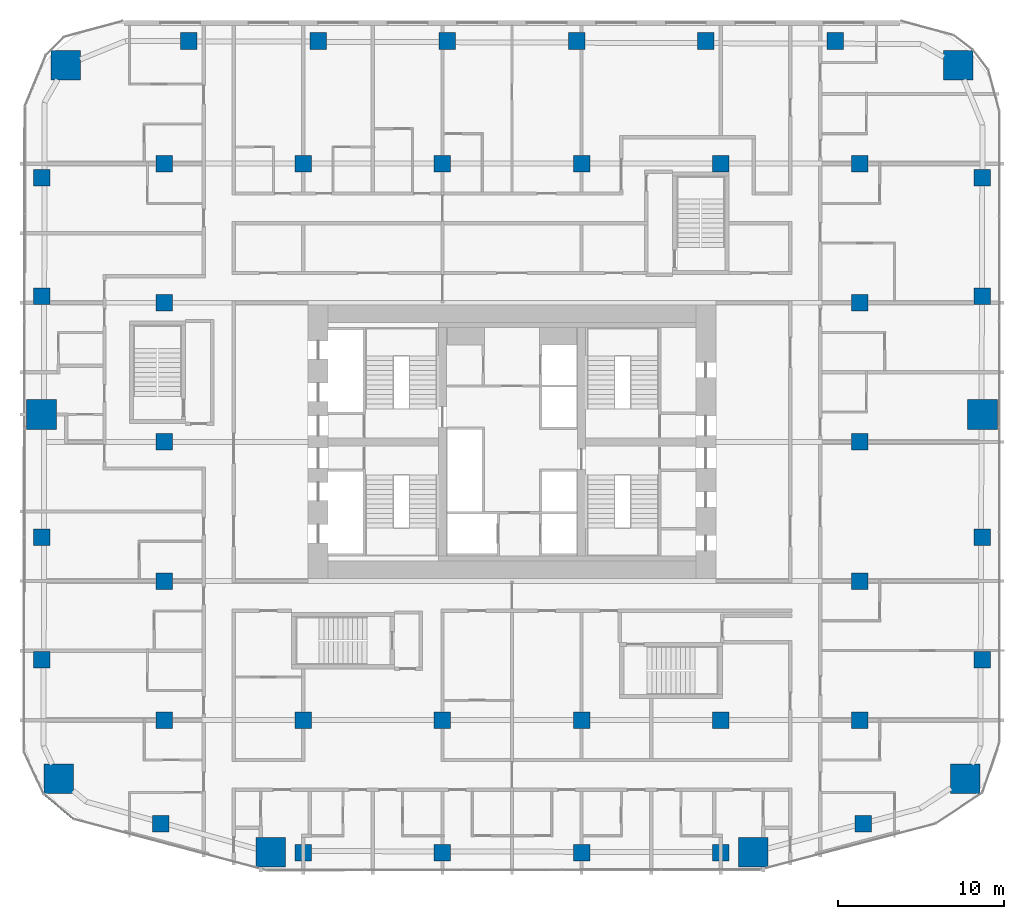
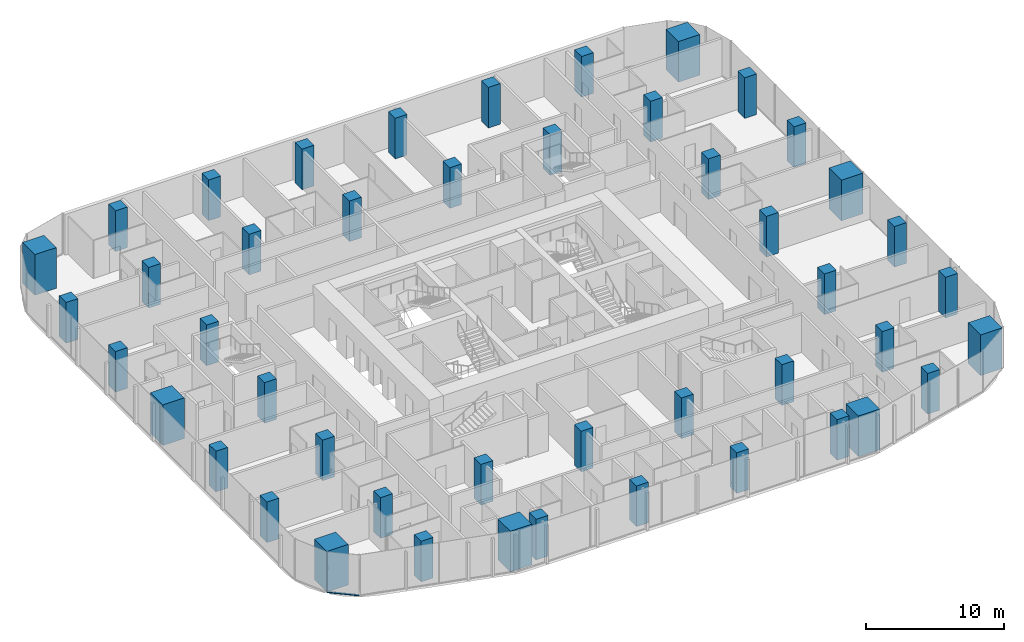
# One storey, part 1 of 26: 46 columns, 1 member, 1 element without a shape of its own.
"""IFC4 building model written with IfcOpenShell, lengths in metres."""

import ifcopenshell
import ifcopenshell.guid

model = None  # the IFC model being written
_history = None  # IfcOwnerHistory: only IFC2X3 demands one
_inside = {}  # id of a spatial element -> (the spatial element, [elements in it])
_under = {}  # id of a project, library or spatial element -> (it, [spatial elements below it])
_declared = {}  # id of a project -> (the project, [libraries it declares])
_typed = {}  # id of a type object -> (the type object, [elements of that type])
_made_of = {}  # id of a material, layer set ... -> (it, [elements and type objects made of it])


def new_model(schema):
    """Start an empty IFC model of exactly this schema.

    Asked for "IFC4X3", IfcOpenShell would pick the latest addendum, in which some entities
    have other attributes; the version numbers below select the first issue.
    IFC2X3 requires an IfcOwnerHistory on every rooted entity: one is made here for all.
    """
    global model, _history
    if schema == "IFC4X3":
        model = ifcopenshell.file(schema_version=(4, 3, 0, 0))
    else:
        model = ifcopenshell.file(schema=schema)
    _inside.clear()
    _under.clear()
    _declared.clear()
    _typed.clear()
    _made_of.clear()
    _history = None
    if model.schema == "IFC2X3":
        org = make("IfcOrganization", Name="unknown")
        user = make(
            "IfcPersonAndOrganization",
            ThePerson=make("IfcPerson", FamilyName="unknown"),
            TheOrganization=org,
        )
        app = make(
            "IfcApplication",
            ApplicationDeveloper=org,
            Version="unknown",
            ApplicationFullName="unknown",
            ApplicationIdentifier="unknown",
        )
        _history = make(
            "IfcOwnerHistory",
            OwningUser=user,
            OwningApplication=app,
            ChangeAction="ADDED",
            CreationDate=0,
        )
    return model


def make(cls, **values):
    """One entity of the class cls with the attributes given. An attribute that is None is left unset."""
    return model.create_entity(
        cls, **{name: value for name, value in values.items() if value is not None}
    )


def rooted(cls, **values):
    """An entity with a GlobalId (a new one), such as an element, a storey or a relation."""
    return make(cls, GlobalId=ifcopenshell.guid.new(), OwnerHistory=_history, **values)


def si_unit(unit_type, name, prefix=None):
    """IfcSIUnit, for example si_unit("LENGTHUNIT", "METRE", prefix="MILLI")."""
    return make("IfcSIUnit", UnitType=unit_type, Prefix=prefix, Name=name)


def assignment(units):
    """IfcUnitAssignment: the units of a project."""
    return None if units is None else make("IfcUnitAssignment", Units=units)


def point(xyz):
    """IfcCartesianPoint."""
    return None if xyz is None else make("IfcCartesianPoint", Coordinates=xyz)


def direction(xyz):
    """IfcDirection."""
    return None if xyz is None else make("IfcDirection", DirectionRatios=xyz)


def frame(location, z_axis=None, x_axis=None):
    """IfcAxis2Placement3D, a coordinate frame: its origin and axes. An axis left out is left unset."""
    return make(
        "IfcAxis2Placement3D",
        Location=point(location),
        Axis=direction(z_axis),
        RefDirection=direction(x_axis),
    )


def frame_2d(location, x_axis=None):
    """IfcAxis2Placement2D, a coordinate frame in the plane: its origin and x axis."""
    return make(
        "IfcAxis2Placement2D", Location=point(location), RefDirection=direction(x_axis)
    )


def origin():
    """The frame at (0, 0, 0) with its axes left unset."""
    return frame((0.0, 0.0, 0.0))


def origin_2d():
    """The frame at (0, 0) in the plane with its x axis left unset."""
    return frame_2d((0.0, 0.0))


def place(relative_to, where):
    """IfcLocalPlacement: puts the frame where relative to a parent placement (None: the world)."""
    return make(
        "IfcLocalPlacement", PlacementRelTo=relative_to, RelativePlacement=where
    )


def context(
    kind, dimensions, precision=None, world=None, true_north=None, identifier=None
):
    """IfcGeometricRepresentationContext, for example the 3D "Model" context."""
    return make(
        "IfcGeometricRepresentationContext",
        ContextIdentifier=identifier,
        ContextType=kind,
        CoordinateSpaceDimension=dimensions,
        Precision=precision,
        WorldCoordinateSystem=world,
        TrueNorth=true_north,
    )


def subcontext(parent, identifier, kind, view, scale=None):
    """IfcGeometricRepresentationSubContext, for example "Body" below "Model"."""
    return make(
        "IfcGeometricRepresentationSubContext",
        ContextIdentifier=identifier,
        ContextType=kind,
        ParentContext=parent,
        TargetScale=scale,
        TargetView=view,
    )


def project(units=None, contexts=None):
    """IfcProject with its units and contexts."""
    return rooted(
        "IfcProject",
        Name="project",
        RepresentationContexts=contexts,
        UnitsInContext=assignment(units),
    )


def spatial(cls, under=None, at=None, **own):
    """A site, building, storey or space (cls), placed at a placement, below another one or the project."""
    s = rooted(cls, ObjectPlacement=at, **own)
    if under is not None:
        _under.setdefault(under.id(), (under, []))[1].append(s)
    return s


def profile(cls, at=None, kind="AREA", **sizes):
    """A parametric profile (cls). Its sizes go by their IFC names, for example OverallWidth=200.0."""
    return make(cls, ProfileType=kind, Position=at, **sizes)


def rectangle(**sizes):
    """IfcRectangleProfileDef."""
    return profile("IfcRectangleProfileDef", **sizes)


def extrude(swept, where, along, depth):
    """IfcExtrudedAreaSolid: the profile swept, set in the frame where, extruded along a direction by depth."""
    return make(
        "IfcExtrudedAreaSolid",
        SweptArea=swept,
        Position=where,
        ExtrudedDirection=direction(along),
        Depth=depth,
    )


def shape(context_of_items, identifier, shape_type, items):
    """IfcShapeRepresentation: the items that make up one representation, for example the "Body"."""
    return make(
        "IfcShapeRepresentation",
        ContextOfItems=context_of_items,
        RepresentationIdentifier=identifier,
        RepresentationType=shape_type,
        Items=items,
    )


def material(Name=None, Category=None):
    """IfcMaterial."""
    return make("IfcMaterial", Name=Name, Category=Category)


def layer(
    of_material, thickness, ventilated=None, Name=None, Category=None, Priority=None
):
    """IfcMaterialLayer: one layer of a wall or slab, of a material (None: an air gap)."""
    return make(
        "IfcMaterialLayer",
        Material=of_material,
        LayerThickness=thickness,
        IsVentilated=ventilated,
        Name=Name,
        Category=Category,
        Priority=Priority,
    )


def layer_set(layers, Name=None):
    """IfcMaterialLayerSet."""
    return make("IfcMaterialLayerSet", MaterialLayers=layers, LayerSetName=Name)


def material_profile(
    of_material, cross_section, Name=None, Category=None, Priority=None
):
    """IfcMaterialProfile: a cross section and its material."""
    return make(
        "IfcMaterialProfile",
        Name=Name,
        Material=of_material,
        Profile=cross_section,
        Priority=Priority,
        Category=Category,
    )


def profile_set(profiles, Name=None, composite=None):
    """IfcMaterialProfileSet."""
    return make(
        "IfcMaterialProfileSet",
        Name=Name,
        MaterialProfiles=profiles,
        CompositeProfile=composite,
    )


def made_of(thing, what):
    """Note that an element or type object is made of a material, layer set ...; save() writes the relation."""
    if what is not None:
        _made_of.setdefault(what.id(), (what, []))[1].append(thing)
    return thing


def type_object(cls, material=None, **own):
    """A type object (cls), such as IfcWallType, which elements share."""
    return made_of(rooted(cls, **own), material)


def element(
    cls,
    number,
    at=None,
    inside=None,
    cuts=None,
    type_object=None,
    material=None,
    context=None,
    identifier="Body",
    shape_type=None,
    held_by="IfcProductDefinitionShape",
    body=None,
    shapes=None,
    **own,
):
    """One element of the class cls, such as IfcWall. Its Tag is "e" and its number.

    at: its placement. inside: the storey or other place that contains it. cuts: it is an
    opening in that element (IfcRelVoidsElement). A single representation is given by context,
    identifier, shape_type and body (its items); several are given by shapes. held_by: the class
    of the entity that holds the representations. save() writes the other relations.
    """
    e = rooted(cls, Tag="e%d" % number, ObjectPlacement=at, **own)
    if body is not None:
        shapes = [shape(context, identifier, shape_type, body)]
    if shapes is not None:
        e.Representation = make(held_by, Representations=shapes)
    if inside is not None:
        _inside.setdefault(inside.id(), (inside, []))[1].append(e)
    if cuts is not None:
        rooted(
            "IfcRelVoidsElement", RelatingBuildingElement=cuts, RelatedOpeningElement=e
        )
    if type_object is not None:
        _typed.setdefault(type_object.id(), (type_object, []))[1].append(e)
    return made_of(e, material)


def aggregate(whole, parts):
    """IfcRelAggregates: a whole, such as a stair, and the parts it consists of."""
    return rooted("IfcRelAggregates", RelatingObject=whole, RelatedObjects=parts)


def save(model, path):
    """Write the relations noted so far, then the file.

    IfcRelAggregates (storeys below a building ...), IfcRelContainedInSpatialStructure (elements
    in a storey), IfcRelDefinesByType, IfcRelAssociatesMaterial and IfcRelDeclares: one each for
    every whole, place, type object, material and project.
    """
    for whole, parts in _under.values():
        aggregate(whole, parts)
    for where, things in _inside.values():
        rooted(
            "IfcRelContainedInSpatialStructure",
            RelatedElements=things,
            RelatingStructure=where,
        )
    for kind, things in _typed.values():
        rooted("IfcRelDefinesByType", RelatedObjects=things, RelatingType=kind)
    for what, things in _made_of.values():
        rooted("IfcRelAssociatesMaterial", RelatedObjects=things, RelatingMaterial=what)
    for by, libraries in _declared.values():
        rooted("IfcRelDeclares", RelatingContext=by, RelatedDefinitions=libraries)
    model.write(path)


model = new_model("IFC4")

# Units and contexts
model_context = context("Model", 3, precision=1e-05, world=origin(), true_north=direction((0.0, 1.0)))
body_context = subcontext(model_context, "Body", "Model", "MODEL_VIEW")
ifc_project = project(units=[si_unit("LENGTHUNIT", "METRE"), si_unit("AREAUNIT", "SQUARE_METRE"), si_unit("VOLUMEUNIT", "CUBIC_METRE"), si_unit("PLANEANGLEUNIT", "RADIAN"), si_unit("MASSUNIT", "GRAM", prefix="KILO")], contexts=[model_context])

# Site, building, storey
site_placement = place(None, origin())
site = spatial("IfcSite", under=ifc_project, at=site_placement, CompositionType="ELEMENT")
building_placement = place(site_placement, origin())
building = spatial("IfcBuilding", under=site, at=building_placement, Name="Marenta Gate Hotel Tower", CompositionType="ELEMENT")
storey_placement = place(building_placement, frame((0.0, 0.0, 43.699951171875)))
storey = spatial("IfcBuildingStorey", under=building, at=storey_placement, Name="L08", CompositionType="ELEMENT", Elevation=43.699951171875)

# Columns
ifc_material_1 = material(Name="Concrete C80", Category="concrete")
ifc_material_profile_1 = material_profile(ifc_material_1, rectangle(XDim=1.0, YDim=1.0, at=origin_2d()), Name="1000 x 1000")
ifc_profile_set_1 = profile_set([ifc_material_profile_1], Name="Concrete C80")
column_type_1 = type_object("IfcColumnType", Name="Edge column 1000 x 1000 C80", PredefinedType="COLUMN", material=ifc_profile_set_1)
for number, where, z_axis, x_axis, name in (
    (1, (-28.39990234375, -4.751953125, 0.0), (0.0, 0.0, 1.0), (1.0, 0.0, 0.0), "L08-EC-SW-W-1"),
    (2, (-28.39990234375, 2.649169921875, 0.0), (0.0, 0.0, 1.0), (1.0, 0.0, 0.0), "L08-EC-SW-W-2"),
    (3, (-28.39990234375, 17.203125, 0.0), (0.0, 0.0, 1.0), (1.0, 0.0, 0.0), "L08-EC-W-NW-1"),
    (4, (-28.39990234375, 24.3564453125, 0.0), (0.0, 0.0, 1.0), (1.0, 0.0, 0.0), "L08-EC-W-NW-2"),
    (5, (-19.5068359375, 32.60009765625, 0.0), (0.0, 0.0, 1.0), (1.0, 0.0, 0.0), "L08-EC-NW-NE-1"),
    (6, (-11.7041015625, 32.60009765625, 0.0), (0.0, 0.0, 1.0), (1.0, 0.0, 0.0), "L08-EC-NW-NE-2"),
    (7, (-3.9013671875, 32.60009765625, 0.0), (0.0, 0.0, 1.0), (1.0, 0.0, 0.0), "L08-EC-NW-NE-3"),
    (8, (3.9013671875, 32.60009765625, 0.0), (0.0, 0.0, 1.0), (1.0, 0.0, 0.0), "L08-EC-NW-NE-4"),
    (9, (11.7041015625, 32.60009765625, 0.0), (0.0, 0.0, 1.0), (1.0, 0.0, 0.0), "L08-EC-NW-NE-5"),
    (10, (19.5068359375, 32.60009765625, 0.0), (0.0, 0.0, 1.0), (1.0, 0.0, 0.0), "L08-EC-NW-NE-6"),
    (11, (28.39990234375, 24.3564453125, 0.0), (0.0, 0.0, 1.0), (1.0, 0.0, 0.0), "L08-EC-NE-E-1"),
    (12, (28.39990234375, 17.203125, 0.0), (0.0, 0.0, 1.0), (1.0, 0.0, 0.0), "L08-EC-NE-E-2"),
    (13, (28.39990234375, 2.649169921875, 0.0), (0.0, 0.0, 1.0), (1.0, 0.0, 0.0), "L08-EC-E-SE-1"),
    (14, (28.39990234375, -4.751953125, 0.0), (0.0, 0.0, 1.0), (1.0, 0.0, 0.0), "L08-EC-E-SE-2"),
    (15, (21.206787109375, -14.63916015625, 0.0), (0.0, 0.0, 1.0), (1.0, 0.0, 0.0), "L08-EC-SE-SKE-1"),
    (16, (12.60009765625, -16.39990234375, 0.0), (0.0, 0.0, 1.0), (1.0, 0.0, 0.0), "L08-EC-SKE-SKW-1"),
    (17, (4.199951171875, -16.39990234375, 0.0), (0.0, 0.0, 1.0), (1.0, 0.0, 0.0), "L08-EC-SKE-SKW-2"),
    (18, (-4.199951171875, -16.39990234375, 0.0), (0.0, 0.0, 1.0), (1.0, 0.0, 0.0), "L08-EC-SKE-SKW-3"),
    (19, (-12.60009765625, -16.39990234375, 0.0), (0.0, 0.0, 1.0), (1.0, 0.0, 0.0), "L08-EC-SKE-SKW-4"),
    (20, (-21.206787109375, -14.63916015625, 0.0), (0.0, 0.0, 1.0), (1.0, 0.0, 0.0), "L08-EC-SKW-SW-1"),
):
    element("IfcColumn", number, at=place(storey_placement, frame(where, z_axis=z_axis, x_axis=x_axis)), inside=storey, type_object=column_type_1, Name=name, PredefinedType="COLUMN", context=body_context, shape_type="SweptSolid", body=[
        extrude(rectangle(XDim=1.0, YDim=1.0, at=origin_2d()), origin(), (0.0, 0.0, 1.0), 3.60009765625),
    ])
ifc_material_2 = material(Name="Concrete C80", Category="concrete")
ifc_material_profile_2 = material_profile(ifc_material_2, rectangle(XDim=1.0, YDim=1.0, at=origin_2d()), Name="1000 x 1000")
ifc_profile_set_2 = profile_set([ifc_material_profile_2], Name="Concrete C80")
column_type_2 = type_object("IfcColumnType", Name="Interior column 1000 x 1000 C80", PredefinedType="COLUMN", material=ifc_profile_set_2)
for number, where, z_axis, x_axis, name in (
    (21, (-21.0, -8.39990234375, 0.0), (0.0, 0.0, 1.0), (1.0, 0.0, 0.0), "L08-IC-4E"),
    (22, (-21.0, 0.0, 0.0), (0.0, 0.0, 1.0), (1.0, 0.0, 0.0), "L08-IC-4F"),
    (23, (-21.0, 8.39990234375, 0.0), (0.0, 0.0, 1.0), (1.0, 0.0, 0.0), "L08-IC-4G"),
    (24, (-21.0, 16.800048828125, 0.0), (0.0, 0.0, 1.0), (1.0, 0.0, 0.0), "L08-IC-4H"),
    (25, (-21.0, 25.199951171875, 0.0), (0.0, 0.0, 1.0), (1.0, 0.0, 0.0), "L08-IC-4I"),
    (26, (-12.60009765625, -8.39990234375, 0.0), (0.0, 0.0, 1.0), (1.0, 0.0, 0.0), "L08-IC-5E"),
    (27, (-12.60009765625, 25.199951171875, 0.0), (0.0, 0.0, 1.0), (1.0, 0.0, 0.0), "L08-IC-5I"),
    (28, (-4.199951171875, -8.39990234375, 0.0), (0.0, 0.0, 1.0), (1.0, 0.0, 0.0), "L08-IC-6E"),
    (29, (-4.199951171875, 25.199951171875, 0.0), (0.0, 0.0, 1.0), (1.0, 0.0, 0.0), "L08-IC-6I"),
    (30, (4.199951171875, -8.39990234375, 0.0), (0.0, 0.0, 1.0), (1.0, 0.0, 0.0), "L08-IC-7E"),
    (31, (4.199951171875, 25.199951171875, 0.0), (0.0, 0.0, 1.0), (1.0, 0.0, 0.0), "L08-IC-7I"),
    (32, (12.60009765625, -8.39990234375, 0.0), (0.0, 0.0, 1.0), (1.0, 0.0, 0.0), "L08-IC-8E"),
    (33, (12.60009765625, 25.199951171875, 0.0), (0.0, 0.0, 1.0), (1.0, 0.0, 0.0), "L08-IC-8I"),
    (34, (21.0, -8.39990234375, 0.0), (0.0, 0.0, 1.0), (1.0, 0.0, 0.0), "L08-IC-9E"),
    (35, (21.0, 0.0, 0.0), (0.0, 0.0, 1.0), (1.0, 0.0, 0.0), "L08-IC-9F"),
    (36, (21.0, 8.39990234375, 0.0), (0.0, 0.0, 1.0), (1.0, 0.0, 0.0), "L08-IC-9G"),
    (37, (21.0, 16.800048828125, 0.0), (0.0, 0.0, 1.0), (1.0, 0.0, 0.0), "L08-IC-9H"),
    (38, (21.0, 25.199951171875, 0.0), (0.0, 0.0, 1.0), (1.0, 0.0, 0.0), "L08-IC-9I"),
):
    element("IfcColumn", number, at=place(storey_placement, frame(where, z_axis=z_axis, x_axis=x_axis)), inside=storey, type_object=column_type_2, Name=name, PredefinedType="COLUMN", context=body_context, shape_type="SweptSolid", body=[
        extrude(rectangle(XDim=1.0, YDim=1.0, at=origin_2d()), origin(), (0.0, 0.0, 1.0), 3.60009765625),
    ])
ifc_material_3 = material(Name="Concrete C80", Category="concrete")
ifc_material_profile_3 = material_profile(ifc_material_3, rectangle(XDim=1.800048828125, YDim=1.800048828125, at=origin_2d()), Name="1800 x 1800")
ifc_profile_set_3 = profile_set([ifc_material_profile_3], Name="Concrete C80")
column_type_3 = type_object("IfcColumnType", Name="Mega column 1800 x 1800 C80", PredefinedType="COLUMN", material=ifc_profile_set_3)
for number, where, z_axis, x_axis, name in (
    (39, (-27.363037109375, -11.93310546875, 0.0), (0.0, 0.0, 1.0), (1.0, 0.0, 0.0), "L08-MC-SW"),
    (40, (-14.56640625, -16.374755859375, 0.0), (0.0, 0.0, 1.0), (1.0, 0.0, 0.0), "L08-MC-SKW"),
    (41, (14.56640625, -16.374755859375, 0.0), (0.0, 0.0, 1.0), (1.0, 0.0, 0.0), "L08-MC-SKE"),
    (42, (27.363037109375, -11.93310546875, 0.0), (0.0, 0.0, 1.0), (1.0, 0.0, 0.0), "L08-MC-SE"),
    (43, (28.39990234375, 10.050048828125, 0.0), (0.0, 0.0, 1.0), (1.0, 0.0, 0.0), "L08-MC-E"),
    (44, (26.935546875, 31.135498046875, 0.0), (0.0, 0.0, 1.0), (1.0, 0.0, 0.0), "L08-MC-NE"),
    (45, (-26.935546875, 31.135498046875, 0.0), (0.0, 0.0, 1.0), (1.0, 0.0, 0.0), "L08-MC-NW"),
    (46, (-28.39990234375, 10.050048828125, 0.0), (0.0, 0.0, 1.0), (1.0, 0.0, 0.0), "L08-MC-W"),
):
    element("IfcColumn", number, at=place(storey_placement, frame(where, z_axis=z_axis, x_axis=x_axis)), inside=storey, type_object=column_type_3, Name=name, PredefinedType="COLUMN", context=body_context, shape_type="SweptSolid", body=[
        extrude(rectangle(XDim=1.800048828125, YDim=1.800048828125, at=origin_2d()), origin(), (0.0, 0.0, 1.0), 3.60009765625),
    ])

# Curtain wall, member
ifc_material_4 = material(Name="Tinted insulated glass in bronze anodised frame", Category="glass")
ifc_layer = layer(ifc_material_4, 0.1201171875)
ifc_layer_set = layer_set([ifc_layer], Name="Tinted insulated glass in bronze anodised frame")
curtain_wall_type = type_object("IfcCurtainWallType", Name="Tower unitised curtain wall CW1", PredefinedType="NOTDEFINED", material=ifc_layer_set)
curtain_wall_placement = place(storey_placement, origin())
curtain_wall = element("IfcCurtainWall", 47, at=curtain_wall_placement, inside=storey, type_object=curtain_wall_type, Name="CW1 run G05", PredefinedType="NOTDEFINED")
ifc_material_5 = material(Name="Bronze anodised aluminium", Category="aluminium")
ifc_material_profile_4 = material_profile(ifc_material_5, rectangle(XDim=0.1201171875, YDim=0.06005859375, at=origin_2d()), Name="Transom CW1 60x120 bronze anodised aluminium")
ifc_profile_set_4 = profile_set([ifc_material_profile_4], Name="Bronze anodised aluminium")
member_type = type_object("IfcMemberType", Name="Transom CW1 60x120 bronze anodised aluminium", PredefinedType="USERDEFINED", material=ifc_profile_set_4)
member_placement = place(storey_placement, frame((-28.228271484375, -12.880126953125, 0.030029296875), z_axis=(0.767079699321, -0.641551817775, 0.0), x_axis=(0.641551817775, 0.767079699321, 0.0)))
member = element("IfcMember", 48, at=member_placement, type_object=member_type, Name="CW1 transom 1.1", ObjectType="TRANSOM", PredefinedType="USERDEFINED", context=body_context, shape_type="SweptSolid", body=[
    extrude(rectangle(XDim=0.1201171875, YDim=0.06005859375, at=origin_2d()), origin(), (0.0, 0.0, 1.0), 2.31640625),
])
aggregate(curtain_wall, [member])

save(model, "model.ifc")
